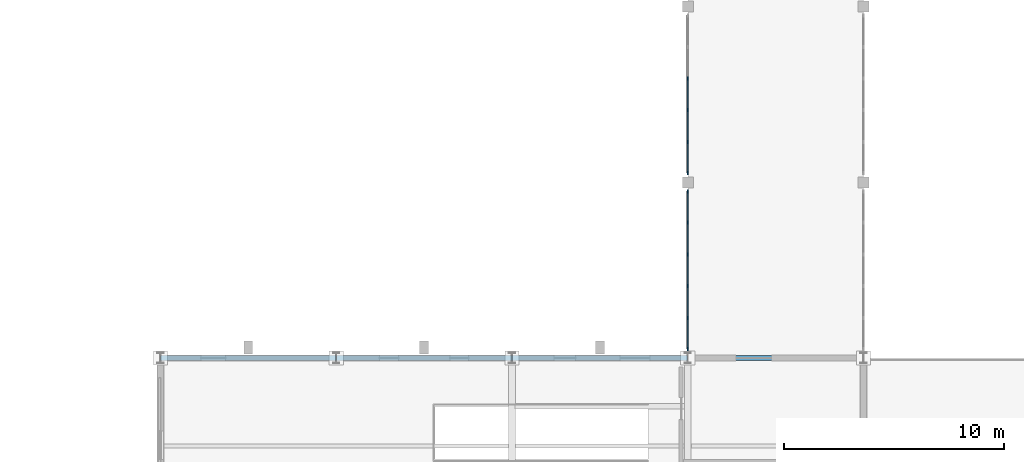
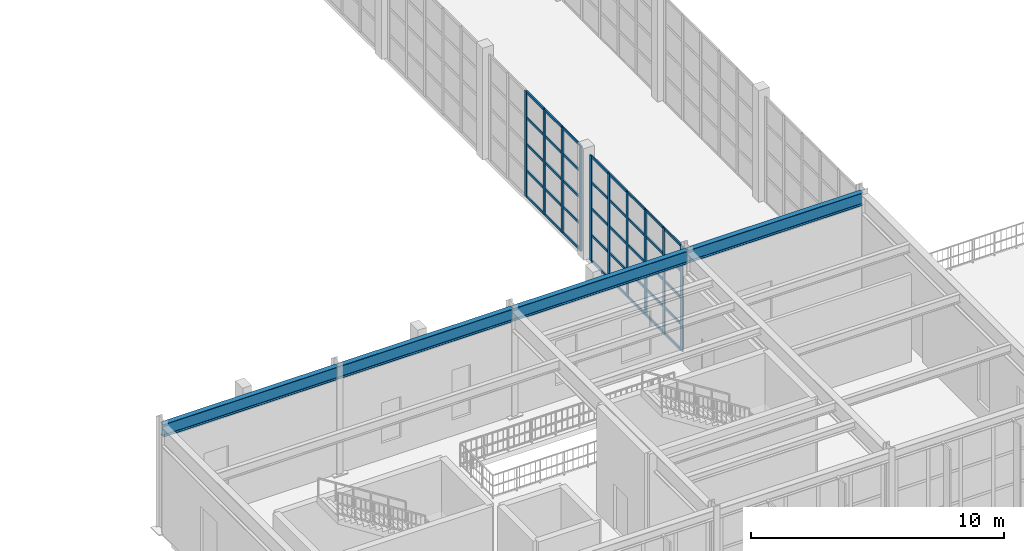
# One storey, part 21 of 82: 50 members, 4 beams, 2 elements without a shape of their own.
"""IFC4 building model written with IfcOpenShell, lengths in metres."""

from ifc_helpers import new_model, si_unit, direction, frame, origin, origin_2d, place, context, subcontext, project, spatial, rectangle, i_section, extrude, material, material_profile, profile_set, type_object, element, aggregate, save


model = new_model("IFC4")

# Units and contexts
model_context = context("Model", 3, precision=1e-05, world=origin(), true_north=direction((0.0, 1.0)))
body_context = subcontext(model_context, "Body", "Model", "MODEL_VIEW")
ifc_project = project(units=[si_unit("LENGTHUNIT", "METRE"), si_unit("AREAUNIT", "SQUARE_METRE"), si_unit("VOLUMEUNIT", "CUBIC_METRE"), si_unit("PLANEANGLEUNIT", "RADIAN"), si_unit("MASSUNIT", "GRAM", prefix="KILO")], contexts=[model_context])

# Site, building, storey
site_placement = place(None, origin())
site = spatial("IfcSite", under=ifc_project, at=site_placement, CompositionType="ELEMENT")
building_placement = place(site_placement, origin())
building = spatial("IfcBuilding", under=site, at=building_placement, Name="Serraluz Foothill Cableway Terminal", CompositionType="ELEMENT")
storey_placement = place(building_placement, frame((0.0, 0.0, 9.60009765625)))
storey = spatial("IfcBuildingStorey", under=building, at=storey_placement, Name="L02", CompositionType="ELEMENT", Elevation=9.60009765625)

# Beams
ifc_material_1 = material(Name="Steel ASTM A992 Grade 50", Category="steel")
ifc_material_profile_1 = material_profile(ifc_material_1, i_section(OverallWidth=0.22900390625, OverallDepth=0.612060546875, WebThickness=0.011962890625, FlangeThickness=0.01953125, FilletRadius=0.01806640625, at=origin_2d()), Name="W24X84")
ifc_profile_set_1 = profile_set([ifc_material_profile_1], Name="Steel ASTM A992 Grade 50")
beam_type = type_object("IfcBeamType", Name="TYP-BM-W24X84", PredefinedType="BEAM", material=ifc_profile_set_1)
for number, where, z_axis, x_axis, name in (
    (1, (96.0048828125, 16.0, 4.843994140625), (1.0, 0.0, 0.0), (0.0, 1.0, 0.0), "Primary Girder BM-X-L02-0300"),
    (2, (104.0048828125, 16.0, 4.843994140625), (1.0, 0.0, 0.0), (0.0, 1.0, 0.0), "Primary Girder BM-X-L02-0301"),
    (3, (112.0048828125, 16.0, 4.843994140625), (1.0, 0.0, 0.0), (0.0, 1.0, 0.0), "Primary Girder BM-X-L02-0302"),
    (4, (120.0048828125, 16.0, 4.85888671875), (1.0, 0.0, 0.0), (0.0, 1.0, 0.0), "Primary Girder BM-X-L02-0303"),
):
    element("IfcBeam", number, at=place(storey_placement, frame(where, z_axis=z_axis, x_axis=x_axis)), inside=storey, type_object=beam_type, Name=name, PredefinedType="BEAM", context=body_context, shape_type="SweptSolid", body=[
        extrude(i_section(OverallWidth=0.22900390625, OverallDepth=0.612060546875, WebThickness=0.011962890625, FlangeThickness=0.01953125, FilletRadius=0.01806640625, at=origin_2d()), origin(), (0.0, 0.0, 1.0), 7.990234375),
    ])

# Curtain wall, members
ifc_material_2 = material(Name="Architectural bronze alloy C28000", Category="aluminium")
curtain_wall_type = type_object("IfcCurtainWallType", Name="TYP-CW-710X420", PredefinedType="NOTDEFINED", material=ifc_material_2)
curtain_wall_1_placement = place(storey_placement, origin())
curtain_wall_1 = element("IfcCurtainWall", 5, at=curtain_wall_1_placement, inside=storey, type_object=curtain_wall_type, Name="Ribbed Glazed Curtain Wall CW-CLW-L02-16", PredefinedType="NOTDEFINED")
ifc_material_profile_2 = material_profile(ifc_material_2, rectangle(XDim=0.06005859375, YDim=0.159912109375, at=origin_2d()), Name="ALU MULLION 60x160")
ifc_profile_set_2 = profile_set([ifc_material_profile_2], Name="Architectural bronze alloy C28000")
member_type_1 = type_object("IfcMemberType", Name="TYP-CW-MUL-60X160", PredefinedType="MULLION", material=ifc_profile_set_2)
member_1_placement = place(storey_placement, frame((120.0, 16.406005859375, 0.0), z_axis=(0.0, 0.0, 1.0), x_axis=(-1.0, 0.0, 0.0)))
member_1 = element("IfcMember", 6, at=member_1_placement, type_object=member_type_1, Name="CW-01 mullion 1", PredefinedType="MULLION", context=body_context, shape_type="SweptSolid", body=[
    extrude(rectangle(XDim=0.06005859375, YDim=0.159912109375, at=origin_2d()), origin(), (0.0, 0.0, 1.0), 5.099853515625),
])
member_2_placement = place(storey_placement, frame((120.0, 17.82275390625, 0.0), z_axis=(0.0, 0.0, 1.0), x_axis=(-1.0, 0.0, 0.0)))
member_2 = element("IfcMember", 7, at=member_2_placement, type_object=member_type_1, Name="CW-01 mullion 2", PredefinedType="MULLION", context=body_context, shape_type="SweptSolid", body=[
    extrude(rectangle(XDim=0.06005859375, YDim=0.159912109375, at=origin_2d()), origin(), (0.0, 0.0, 1.0), 5.099853515625),
])
member_3_placement = place(storey_placement, frame((120.0, 19.26953125, 0.0), z_axis=(0.0, 0.0, 1.0), x_axis=(-1.0, 0.0, 0.0)))
member_3 = element("IfcMember", 8, at=member_3_placement, type_object=member_type_1, Name="CW-01 mullion 3", PredefinedType="MULLION", context=body_context, shape_type="SweptSolid", body=[
    extrude(rectangle(XDim=0.06005859375, YDim=0.159912109375, at=origin_2d()), origin(), (0.0, 0.0, 1.0), 5.099853515625),
])
member_4_placement = place(storey_placement, frame((120.0, 20.71630859375, 0.0), z_axis=(0.0, 0.0, 1.0), x_axis=(-1.0, 0.0, 0.0)))
member_4 = element("IfcMember", 9, at=member_4_placement, type_object=member_type_1, Name="CW-01 mullion 4", PredefinedType="MULLION", context=body_context, shape_type="SweptSolid", body=[
    extrude(rectangle(XDim=0.06005859375, YDim=0.159912109375, at=origin_2d()), origin(), (0.0, 0.0, 1.0), 5.099853515625),
])
member_5_placement = place(storey_placement, frame((120.0, 22.1630859375, 0.0), z_axis=(0.0, 0.0, 1.0), x_axis=(-1.0, 0.0, 0.0)))
member_5 = element("IfcMember", 10, at=member_5_placement, type_object=member_type_1, Name="CW-01 mullion 5", PredefinedType="MULLION", context=body_context, shape_type="SweptSolid", body=[
    extrude(rectangle(XDim=0.06005859375, YDim=0.159912109375, at=origin_2d()), origin(), (0.0, 0.0, 1.0), 5.099853515625),
])
member_6_placement = place(storey_placement, frame((120.0, 23.580078125, 0.0), z_axis=(0.0, 0.0, 1.0), x_axis=(-1.0, 0.0, 0.0)))
member_6 = element("IfcMember", 11, at=member_6_placement, type_object=member_type_1, Name="CW-01 mullion 6", PredefinedType="MULLION", context=body_context, shape_type="SweptSolid", body=[
    extrude(rectangle(XDim=0.06005859375, YDim=0.159912109375, at=origin_2d()), origin(), (0.0, 0.0, 1.0), 5.099853515625),
])

curtain_wall_2_placement = place(storey_placement, origin())
curtain_wall_2 = element("IfcCurtainWall", 12, at=curtain_wall_2_placement, inside=storey, type_object=curtain_wall_type, Name="Ribbed Glazed Curtain Wall CW-CLW-L02-24", PredefinedType="NOTDEFINED")
member_7_placement = place(storey_placement, frame((120.0, 24.419921875, 0.0), z_axis=(0.0, 0.0, 1.0), x_axis=(-1.0, 0.0, 0.0)))
member_7 = element("IfcMember", 13, at=member_7_placement, type_object=member_type_1, Name="CW-01 mullion 1", PredefinedType="MULLION", context=body_context, shape_type="SweptSolid", body=[
    extrude(rectangle(XDim=0.06005859375, YDim=0.159912109375, at=origin_2d()), origin(), (0.0, 0.0, 1.0), 5.099853515625),
])
member_8_placement = place(storey_placement, frame((120.0, 25.833984375, 0.0), z_axis=(0.0, 0.0, 1.0), x_axis=(-1.0, 0.0, 0.0)))
member_8 = element("IfcMember", 14, at=member_8_placement, type_object=member_type_1, Name="CW-01 mullion 2", PredefinedType="MULLION", context=body_context, shape_type="SweptSolid", body=[
    extrude(rectangle(XDim=0.06005859375, YDim=0.159912109375, at=origin_2d()), origin(), (0.0, 0.0, 1.0), 5.099853515625),
])
member_9_placement = place(storey_placement, frame((120.0, 27.278076171875, 0.0), z_axis=(0.0, 0.0, 1.0), x_axis=(-1.0, 0.0, 0.0)))
member_9 = element("IfcMember", 15, at=member_9_placement, type_object=member_type_1, Name="CW-01 mullion 3", PredefinedType="MULLION", context=body_context, shape_type="SweptSolid", body=[
    extrude(rectangle(XDim=0.06005859375, YDim=0.159912109375, at=origin_2d()), origin(), (0.0, 0.0, 1.0), 5.099853515625),
])
member_10_placement = place(storey_placement, frame((120.0, 28.721923828125, 0.0), z_axis=(0.0, 0.0, 1.0), x_axis=(-1.0, 0.0, 0.0)))
member_10 = element("IfcMember", 16, at=member_10_placement, type_object=member_type_1, Name="CW-01 mullion 4", PredefinedType="MULLION", context=body_context, shape_type="SweptSolid", body=[
    extrude(rectangle(XDim=0.06005859375, YDim=0.159912109375, at=origin_2d()), origin(), (0.0, 0.0, 1.0), 5.099853515625),
])

# Member
ifc_material_profile_3 = material_profile(ifc_material_2, rectangle(XDim=0.06005859375, YDim=0.1201171875, at=origin_2d()), Name="ALU TRANSOM 60x120")
ifc_profile_set_3 = profile_set([ifc_material_profile_3], Name="Architectural bronze alloy C28000")
member_type_2 = type_object("IfcMemberType", Name="TYP-CW-TRN-60X120", PredefinedType="USERDEFINED", material=ifc_profile_set_3)
member_11_placement = place(storey_placement, frame((120.0, 16.43603515625, 0.02978515625), z_axis=(0.0, 1.0, 0.0), x_axis=(-1.0, 0.0, 0.0)))
member_11 = element("IfcMember", 17, at=member_11_placement, type_object=member_type_2, Name="CW-01 transom 1.1", ObjectType="TRANSOM", PredefinedType="USERDEFINED", context=body_context, shape_type="SweptSolid", body=[
    extrude(rectangle(XDim=0.06005859375, YDim=0.1201171875, at=origin_2d()), origin(), (0.0, 0.0, 1.0), 1.356689453125),
])

member_12_placement = place(storey_placement, frame((120.0, 16.43603515625, 1.27490234375), z_axis=(0.0, 1.0, 0.0), x_axis=(-1.0, 0.0, 0.0)))
member_12 = element("IfcMember", 18, at=member_12_placement, type_object=member_type_2, Name="CW-01 transom 1.2", ObjectType="TRANSOM", PredefinedType="USERDEFINED", context=body_context, shape_type="SweptSolid", body=[
    extrude(rectangle(XDim=0.06005859375, YDim=0.1201171875, at=origin_2d()), origin(), (0.0, 0.0, 1.0), 1.356689453125),
])

member_13_placement = place(storey_placement, frame((120.0, 16.43603515625, 2.5498046875), z_axis=(0.0, 1.0, 0.0), x_axis=(-1.0, 0.0, 0.0)))
member_13 = element("IfcMember", 19, at=member_13_placement, type_object=member_type_2, Name="CW-01 transom 1.3", ObjectType="TRANSOM", PredefinedType="USERDEFINED", context=body_context, shape_type="SweptSolid", body=[
    extrude(rectangle(XDim=0.06005859375, YDim=0.1201171875, at=origin_2d()), origin(), (0.0, 0.0, 1.0), 1.356689453125),
])

member_14_placement = place(storey_placement, frame((120.0, 16.43603515625, 3.824951171875), z_axis=(0.0, 1.0, 0.0), x_axis=(-1.0, 0.0, 0.0)))
member_14 = element("IfcMember", 20, at=member_14_placement, type_object=member_type_2, Name="CW-01 transom 1.4", ObjectType="TRANSOM", PredefinedType="USERDEFINED", context=body_context, shape_type="SweptSolid", body=[
    extrude(rectangle(XDim=0.06005859375, YDim=0.1201171875, at=origin_2d()), origin(), (0.0, 0.0, 1.0), 1.356689453125),
])

member_15_placement = place(storey_placement, frame((120.0, 16.43603515625, 5.06982421875), z_axis=(0.0, 1.0, 0.0), x_axis=(-1.0, 0.0, 0.0)))
member_15 = element("IfcMember", 21, at=member_15_placement, type_object=member_type_2, Name="CW-01 transom 1.5", ObjectType="TRANSOM", PredefinedType="USERDEFINED", context=body_context, shape_type="SweptSolid", body=[
    extrude(rectangle(XDim=0.06005859375, YDim=0.1201171875, at=origin_2d()), origin(), (0.0, 0.0, 1.0), 1.356689453125),
])

member_16_placement = place(storey_placement, frame((120.0, 17.852783203125, 0.02978515625), z_axis=(0.0, 1.0, 0.0), x_axis=(-1.0, 0.0, 0.0)))
member_16 = element("IfcMember", 22, at=member_16_placement, type_object=member_type_2, Name="CW-01 transom 2.1", ObjectType="TRANSOM", PredefinedType="USERDEFINED", context=body_context, shape_type="SweptSolid", body=[
    extrude(rectangle(XDim=0.06005859375, YDim=0.1201171875, at=origin_2d()), origin(), (0.0, 0.0, 1.0), 1.38671875),
])

member_17_placement = place(storey_placement, frame((120.0, 17.852783203125, 1.27490234375), z_axis=(0.0, 1.0, 0.0), x_axis=(-1.0, 0.0, 0.0)))
member_17 = element("IfcMember", 23, at=member_17_placement, type_object=member_type_2, Name="CW-01 transom 2.2", ObjectType="TRANSOM", PredefinedType="USERDEFINED", context=body_context, shape_type="SweptSolid", body=[
    extrude(rectangle(XDim=0.06005859375, YDim=0.1201171875, at=origin_2d()), origin(), (0.0, 0.0, 1.0), 1.38671875),
])

member_18_placement = place(storey_placement, frame((120.0, 17.852783203125, 2.5498046875), z_axis=(0.0, 1.0, 0.0), x_axis=(-1.0, 0.0, 0.0)))
member_18 = element("IfcMember", 24, at=member_18_placement, type_object=member_type_2, Name="CW-01 transom 2.3", ObjectType="TRANSOM", PredefinedType="USERDEFINED", context=body_context, shape_type="SweptSolid", body=[
    extrude(rectangle(XDim=0.06005859375, YDim=0.1201171875, at=origin_2d()), origin(), (0.0, 0.0, 1.0), 1.38671875),
])

member_19_placement = place(storey_placement, frame((120.0, 17.852783203125, 3.824951171875), z_axis=(0.0, 1.0, 0.0), x_axis=(-1.0, 0.0, 0.0)))
member_19 = element("IfcMember", 25, at=member_19_placement, type_object=member_type_2, Name="CW-01 transom 2.4", ObjectType="TRANSOM", PredefinedType="USERDEFINED", context=body_context, shape_type="SweptSolid", body=[
    extrude(rectangle(XDim=0.06005859375, YDim=0.1201171875, at=origin_2d()), origin(), (0.0, 0.0, 1.0), 1.38671875),
])

member_20_placement = place(storey_placement, frame((120.0, 17.852783203125, 5.06982421875), z_axis=(0.0, 1.0, 0.0), x_axis=(-1.0, 0.0, 0.0)))
member_20 = element("IfcMember", 26, at=member_20_placement, type_object=member_type_2, Name="CW-01 transom 2.5", ObjectType="TRANSOM", PredefinedType="USERDEFINED", context=body_context, shape_type="SweptSolid", body=[
    extrude(rectangle(XDim=0.06005859375, YDim=0.1201171875, at=origin_2d()), origin(), (0.0, 0.0, 1.0), 1.38671875),
])

member_21_placement = place(storey_placement, frame((120.0, 19.299560546875, 0.02978515625), z_axis=(0.0, 1.0, 0.0), x_axis=(-1.0, 0.0, 0.0)))
member_21 = element("IfcMember", 27, at=member_21_placement, type_object=member_type_2, Name="CW-01 transom 3.1", ObjectType="TRANSOM", PredefinedType="USERDEFINED", context=body_context, shape_type="SweptSolid", body=[
    extrude(rectangle(XDim=0.06005859375, YDim=0.1201171875, at=origin_2d()), origin(), (0.0, 0.0, 1.0), 1.38671875),
])

member_22_placement = place(storey_placement, frame((120.0, 19.299560546875, 1.27490234375), z_axis=(0.0, 1.0, 0.0), x_axis=(-1.0, 0.0, 0.0)))
member_22 = element("IfcMember", 28, at=member_22_placement, type_object=member_type_2, Name="CW-01 transom 3.2", ObjectType="TRANSOM", PredefinedType="USERDEFINED", context=body_context, shape_type="SweptSolid", body=[
    extrude(rectangle(XDim=0.06005859375, YDim=0.1201171875, at=origin_2d()), origin(), (0.0, 0.0, 1.0), 1.38671875),
])

member_23_placement = place(storey_placement, frame((120.0, 19.299560546875, 2.5498046875), z_axis=(0.0, 1.0, 0.0), x_axis=(-1.0, 0.0, 0.0)))
member_23 = element("IfcMember", 29, at=member_23_placement, type_object=member_type_2, Name="CW-01 transom 3.3", ObjectType="TRANSOM", PredefinedType="USERDEFINED", context=body_context, shape_type="SweptSolid", body=[
    extrude(rectangle(XDim=0.06005859375, YDim=0.1201171875, at=origin_2d()), origin(), (0.0, 0.0, 1.0), 1.38671875),
])

member_24_placement = place(storey_placement, frame((120.0, 19.299560546875, 3.824951171875), z_axis=(0.0, 1.0, 0.0), x_axis=(-1.0, 0.0, 0.0)))
member_24 = element("IfcMember", 30, at=member_24_placement, type_object=member_type_2, Name="CW-01 transom 3.4", ObjectType="TRANSOM", PredefinedType="USERDEFINED", context=body_context, shape_type="SweptSolid", body=[
    extrude(rectangle(XDim=0.06005859375, YDim=0.1201171875, at=origin_2d()), origin(), (0.0, 0.0, 1.0), 1.38671875),
])

member_25_placement = place(storey_placement, frame((120.0, 19.299560546875, 5.06982421875), z_axis=(0.0, 1.0, 0.0), x_axis=(-1.0, 0.0, 0.0)))
member_25 = element("IfcMember", 31, at=member_25_placement, type_object=member_type_2, Name="CW-01 transom 3.5", ObjectType="TRANSOM", PredefinedType="USERDEFINED", context=body_context, shape_type="SweptSolid", body=[
    extrude(rectangle(XDim=0.06005859375, YDim=0.1201171875, at=origin_2d()), origin(), (0.0, 0.0, 1.0), 1.38671875),
])

member_26_placement = place(storey_placement, frame((120.0, 20.746337890625, 0.02978515625), z_axis=(0.0, 1.0, 0.0), x_axis=(-1.0, 0.0, 0.0)))
member_26 = element("IfcMember", 32, at=member_26_placement, type_object=member_type_2, Name="CW-01 transom 4.1", ObjectType="TRANSOM", PredefinedType="USERDEFINED", context=body_context, shape_type="SweptSolid", body=[
    extrude(rectangle(XDim=0.06005859375, YDim=0.1201171875, at=origin_2d()), origin(), (0.0, 0.0, 1.0), 1.386962890625),
])

member_27_placement = place(storey_placement, frame((120.0, 20.746337890625, 1.27490234375), z_axis=(0.0, 1.0, 0.0), x_axis=(-1.0, 0.0, 0.0)))
member_27 = element("IfcMember", 33, at=member_27_placement, type_object=member_type_2, Name="CW-01 transom 4.2", ObjectType="TRANSOM", PredefinedType="USERDEFINED", context=body_context, shape_type="SweptSolid", body=[
    extrude(rectangle(XDim=0.06005859375, YDim=0.1201171875, at=origin_2d()), origin(), (0.0, 0.0, 1.0), 1.386962890625),
])

member_28_placement = place(storey_placement, frame((120.0, 20.746337890625, 2.5498046875), z_axis=(0.0, 1.0, 0.0), x_axis=(-1.0, 0.0, 0.0)))
member_28 = element("IfcMember", 34, at=member_28_placement, type_object=member_type_2, Name="CW-01 transom 4.3", ObjectType="TRANSOM", PredefinedType="USERDEFINED", context=body_context, shape_type="SweptSolid", body=[
    extrude(rectangle(XDim=0.06005859375, YDim=0.1201171875, at=origin_2d()), origin(), (0.0, 0.0, 1.0), 1.386962890625),
])

member_29_placement = place(storey_placement, frame((120.0, 20.746337890625, 3.824951171875), z_axis=(0.0, 1.0, 0.0), x_axis=(-1.0, 0.0, 0.0)))
member_29 = element("IfcMember", 35, at=member_29_placement, type_object=member_type_2, Name="CW-01 transom 4.4", ObjectType="TRANSOM", PredefinedType="USERDEFINED", context=body_context, shape_type="SweptSolid", body=[
    extrude(rectangle(XDim=0.06005859375, YDim=0.1201171875, at=origin_2d()), origin(), (0.0, 0.0, 1.0), 1.386962890625),
])

member_30_placement = place(storey_placement, frame((120.0, 20.746337890625, 5.06982421875), z_axis=(0.0, 1.0, 0.0), x_axis=(-1.0, 0.0, 0.0)))
member_30 = element("IfcMember", 36, at=member_30_placement, type_object=member_type_2, Name="CW-01 transom 4.5", ObjectType="TRANSOM", PredefinedType="USERDEFINED", context=body_context, shape_type="SweptSolid", body=[
    extrude(rectangle(XDim=0.06005859375, YDim=0.1201171875, at=origin_2d()), origin(), (0.0, 0.0, 1.0), 1.386962890625),
])

member_31_placement = place(storey_placement, frame((120.0, 22.193115234375, 0.02978515625), z_axis=(0.0, 1.0, 0.0), x_axis=(-1.0, 0.0, 0.0)))
member_31 = element("IfcMember", 37, at=member_31_placement, type_object=member_type_2, Name="CW-01 transom 5.1", ObjectType="TRANSOM", PredefinedType="USERDEFINED", context=body_context, shape_type="SweptSolid", body=[
    extrude(rectangle(XDim=0.06005859375, YDim=0.1201171875, at=origin_2d()), origin(), (0.0, 0.0, 1.0), 1.35693359375),
])

member_32_placement = place(storey_placement, frame((120.0, 22.193115234375, 1.27490234375), z_axis=(0.0, 1.0, 0.0), x_axis=(-1.0, 0.0, 0.0)))
member_32 = element("IfcMember", 38, at=member_32_placement, type_object=member_type_2, Name="CW-01 transom 5.2", ObjectType="TRANSOM", PredefinedType="USERDEFINED", context=body_context, shape_type="SweptSolid", body=[
    extrude(rectangle(XDim=0.06005859375, YDim=0.1201171875, at=origin_2d()), origin(), (0.0, 0.0, 1.0), 1.35693359375),
])

member_33_placement = place(storey_placement, frame((120.0, 22.193115234375, 2.5498046875), z_axis=(0.0, 1.0, 0.0), x_axis=(-1.0, 0.0, 0.0)))
member_33 = element("IfcMember", 39, at=member_33_placement, type_object=member_type_2, Name="CW-01 transom 5.3", ObjectType="TRANSOM", PredefinedType="USERDEFINED", context=body_context, shape_type="SweptSolid", body=[
    extrude(rectangle(XDim=0.06005859375, YDim=0.1201171875, at=origin_2d()), origin(), (0.0, 0.0, 1.0), 1.35693359375),
])

member_34_placement = place(storey_placement, frame((120.0, 22.193115234375, 3.824951171875), z_axis=(0.0, 1.0, 0.0), x_axis=(-1.0, 0.0, 0.0)))
member_34 = element("IfcMember", 40, at=member_34_placement, type_object=member_type_2, Name="CW-01 transom 5.4", ObjectType="TRANSOM", PredefinedType="USERDEFINED", context=body_context, shape_type="SweptSolid", body=[
    extrude(rectangle(XDim=0.06005859375, YDim=0.1201171875, at=origin_2d()), origin(), (0.0, 0.0, 1.0), 1.35693359375),
])

member_35_placement = place(storey_placement, frame((120.0, 22.193115234375, 5.06982421875), z_axis=(0.0, 1.0, 0.0), x_axis=(-1.0, 0.0, 0.0)))
member_35 = element("IfcMember", 41, at=member_35_placement, type_object=member_type_2, Name="CW-01 transom 5.5", ObjectType="TRANSOM", PredefinedType="USERDEFINED", context=body_context, shape_type="SweptSolid", body=[
    extrude(rectangle(XDim=0.06005859375, YDim=0.1201171875, at=origin_2d()), origin(), (0.0, 0.0, 1.0), 1.35693359375),
])

aggregate(curtain_wall_1, [member_1, member_2, member_3, member_4, member_5, member_6, member_11, member_12, member_13, member_14, member_15, member_16, member_17, member_18, member_19, member_20, member_21, member_22, member_23, member_24, member_25, member_26, member_27, member_28, member_29, member_30, member_31, member_32, member_33, member_34, member_35])

member_36_placement = place(storey_placement, frame((120.0, 24.449951171875, 0.02978515625), z_axis=(0.0, 1.0, 0.0), x_axis=(-1.0, 0.0, 0.0)))
member_36 = element("IfcMember", 42, at=member_36_placement, type_object=member_type_2, Name="CW-01 transom 1.1", ObjectType="TRANSOM", PredefinedType="USERDEFINED", context=body_context, shape_type="SweptSolid", body=[
    extrude(rectangle(XDim=0.06005859375, YDim=0.1201171875, at=origin_2d()), origin(), (0.0, 0.0, 1.0), 1.35400390625),
])

member_37_placement = place(storey_placement, frame((120.0, 24.449951171875, 1.27490234375), z_axis=(0.0, 1.0, 0.0), x_axis=(-1.0, 0.0, 0.0)))
member_37 = element("IfcMember", 43, at=member_37_placement, type_object=member_type_2, Name="CW-01 transom 1.2", ObjectType="TRANSOM", PredefinedType="USERDEFINED", context=body_context, shape_type="SweptSolid", body=[
    extrude(rectangle(XDim=0.06005859375, YDim=0.1201171875, at=origin_2d()), origin(), (0.0, 0.0, 1.0), 1.35400390625),
])

member_38_placement = place(storey_placement, frame((120.0, 24.449951171875, 2.5498046875), z_axis=(0.0, 1.0, 0.0), x_axis=(-1.0, 0.0, 0.0)))
member_38 = element("IfcMember", 44, at=member_38_placement, type_object=member_type_2, Name="CW-01 transom 1.3", ObjectType="TRANSOM", PredefinedType="USERDEFINED", context=body_context, shape_type="SweptSolid", body=[
    extrude(rectangle(XDim=0.06005859375, YDim=0.1201171875, at=origin_2d()), origin(), (0.0, 0.0, 1.0), 1.35400390625),
])

member_39_placement = place(storey_placement, frame((120.0, 24.449951171875, 3.824951171875), z_axis=(0.0, 1.0, 0.0), x_axis=(-1.0, 0.0, 0.0)))
member_39 = element("IfcMember", 45, at=member_39_placement, type_object=member_type_2, Name="CW-01 transom 1.4", ObjectType="TRANSOM", PredefinedType="USERDEFINED", context=body_context, shape_type="SweptSolid", body=[
    extrude(rectangle(XDim=0.06005859375, YDim=0.1201171875, at=origin_2d()), origin(), (0.0, 0.0, 1.0), 1.35400390625),
])

member_40_placement = place(storey_placement, frame((120.0, 24.449951171875, 5.06982421875), z_axis=(0.0, 1.0, 0.0), x_axis=(-1.0, 0.0, 0.0)))
member_40 = element("IfcMember", 46, at=member_40_placement, type_object=member_type_2, Name="CW-01 transom 1.5", ObjectType="TRANSOM", PredefinedType="USERDEFINED", context=body_context, shape_type="SweptSolid", body=[
    extrude(rectangle(XDim=0.06005859375, YDim=0.1201171875, at=origin_2d()), origin(), (0.0, 0.0, 1.0), 1.35400390625),
])

member_41_placement = place(storey_placement, frame((120.0, 25.864013671875, 0.02978515625), z_axis=(0.0, 1.0, 0.0), x_axis=(-1.0, 0.0, 0.0)))
member_41 = element("IfcMember", 47, at=member_41_placement, type_object=member_type_2, Name="CW-01 transom 2.1", ObjectType="TRANSOM", PredefinedType="USERDEFINED", context=body_context, shape_type="SweptSolid", body=[
    extrude(rectangle(XDim=0.06005859375, YDim=0.1201171875, at=origin_2d()), origin(), (0.0, 0.0, 1.0), 1.384033203125),
])

member_42_placement = place(storey_placement, frame((120.0, 25.864013671875, 1.27490234375), z_axis=(0.0, 1.0, 0.0), x_axis=(-1.0, 0.0, 0.0)))
member_42 = element("IfcMember", 48, at=member_42_placement, type_object=member_type_2, Name="CW-01 transom 2.2", ObjectType="TRANSOM", PredefinedType="USERDEFINED", context=body_context, shape_type="SweptSolid", body=[
    extrude(rectangle(XDim=0.06005859375, YDim=0.1201171875, at=origin_2d()), origin(), (0.0, 0.0, 1.0), 1.384033203125),
])

member_43_placement = place(storey_placement, frame((120.0, 25.864013671875, 2.5498046875), z_axis=(0.0, 1.0, 0.0), x_axis=(-1.0, 0.0, 0.0)))
member_43 = element("IfcMember", 49, at=member_43_placement, type_object=member_type_2, Name="CW-01 transom 2.3", ObjectType="TRANSOM", PredefinedType="USERDEFINED", context=body_context, shape_type="SweptSolid", body=[
    extrude(rectangle(XDim=0.06005859375, YDim=0.1201171875, at=origin_2d()), origin(), (0.0, 0.0, 1.0), 1.384033203125),
])

member_44_placement = place(storey_placement, frame((120.0, 25.864013671875, 3.824951171875), z_axis=(0.0, 1.0, 0.0), x_axis=(-1.0, 0.0, 0.0)))
member_44 = element("IfcMember", 50, at=member_44_placement, type_object=member_type_2, Name="CW-01 transom 2.4", ObjectType="TRANSOM", PredefinedType="USERDEFINED", context=body_context, shape_type="SweptSolid", body=[
    extrude(rectangle(XDim=0.06005859375, YDim=0.1201171875, at=origin_2d()), origin(), (0.0, 0.0, 1.0), 1.384033203125),
])

member_45_placement = place(storey_placement, frame((120.0, 25.864013671875, 5.06982421875), z_axis=(0.0, 1.0, 0.0), x_axis=(-1.0, 0.0, 0.0)))
member_45 = element("IfcMember", 51, at=member_45_placement, type_object=member_type_2, Name="CW-01 transom 2.5", ObjectType="TRANSOM", PredefinedType="USERDEFINED", context=body_context, shape_type="SweptSolid", body=[
    extrude(rectangle(XDim=0.06005859375, YDim=0.1201171875, at=origin_2d()), origin(), (0.0, 0.0, 1.0), 1.384033203125),
])

member_46_placement = place(storey_placement, frame((120.0, 27.30810546875, 0.02978515625), z_axis=(0.0, 1.0, 0.0), x_axis=(-1.0, 0.0, 0.0)))
member_46 = element("IfcMember", 52, at=member_46_placement, type_object=member_type_2, Name="CW-01 transom 3.1", ObjectType="TRANSOM", PredefinedType="USERDEFINED", context=body_context, shape_type="SweptSolid", body=[
    extrude(rectangle(XDim=0.06005859375, YDim=0.1201171875, at=origin_2d()), origin(), (0.0, 0.0, 1.0), 1.3837890625),
])

member_47_placement = place(storey_placement, frame((120.0, 27.30810546875, 1.27490234375), z_axis=(0.0, 1.0, 0.0), x_axis=(-1.0, 0.0, 0.0)))
member_47 = element("IfcMember", 53, at=member_47_placement, type_object=member_type_2, Name="CW-01 transom 3.2", ObjectType="TRANSOM", PredefinedType="USERDEFINED", context=body_context, shape_type="SweptSolid", body=[
    extrude(rectangle(XDim=0.06005859375, YDim=0.1201171875, at=origin_2d()), origin(), (0.0, 0.0, 1.0), 1.3837890625),
])

member_48_placement = place(storey_placement, frame((120.0, 27.30810546875, 2.5498046875), z_axis=(0.0, 1.0, 0.0), x_axis=(-1.0, 0.0, 0.0)))
member_48 = element("IfcMember", 54, at=member_48_placement, type_object=member_type_2, Name="CW-01 transom 3.3", ObjectType="TRANSOM", PredefinedType="USERDEFINED", context=body_context, shape_type="SweptSolid", body=[
    extrude(rectangle(XDim=0.06005859375, YDim=0.1201171875, at=origin_2d()), origin(), (0.0, 0.0, 1.0), 1.3837890625),
])

member_49_placement = place(storey_placement, frame((120.0, 27.30810546875, 3.824951171875), z_axis=(0.0, 1.0, 0.0), x_axis=(-1.0, 0.0, 0.0)))
member_49 = element("IfcMember", 55, at=member_49_placement, type_object=member_type_2, Name="CW-01 transom 3.4", ObjectType="TRANSOM", PredefinedType="USERDEFINED", context=body_context, shape_type="SweptSolid", body=[
    extrude(rectangle(XDim=0.06005859375, YDim=0.1201171875, at=origin_2d()), origin(), (0.0, 0.0, 1.0), 1.3837890625),
])

member_50_placement = place(storey_placement, frame((120.0, 27.30810546875, 5.06982421875), z_axis=(0.0, 1.0, 0.0), x_axis=(-1.0, 0.0, 0.0)))
member_50 = element("IfcMember", 56, at=member_50_placement, type_object=member_type_2, Name="CW-01 transom 3.5", ObjectType="TRANSOM", PredefinedType="USERDEFINED", context=body_context, shape_type="SweptSolid", body=[
    extrude(rectangle(XDim=0.06005859375, YDim=0.1201171875, at=origin_2d()), origin(), (0.0, 0.0, 1.0), 1.3837890625),
])

aggregate(curtain_wall_2, [member_7, member_8, member_9, member_10, member_36, member_37, member_38, member_39, member_40, member_41, member_42, member_43, member_44, member_45, member_46, member_47, member_48, member_49, member_50])

save(model, "model.ifc")
